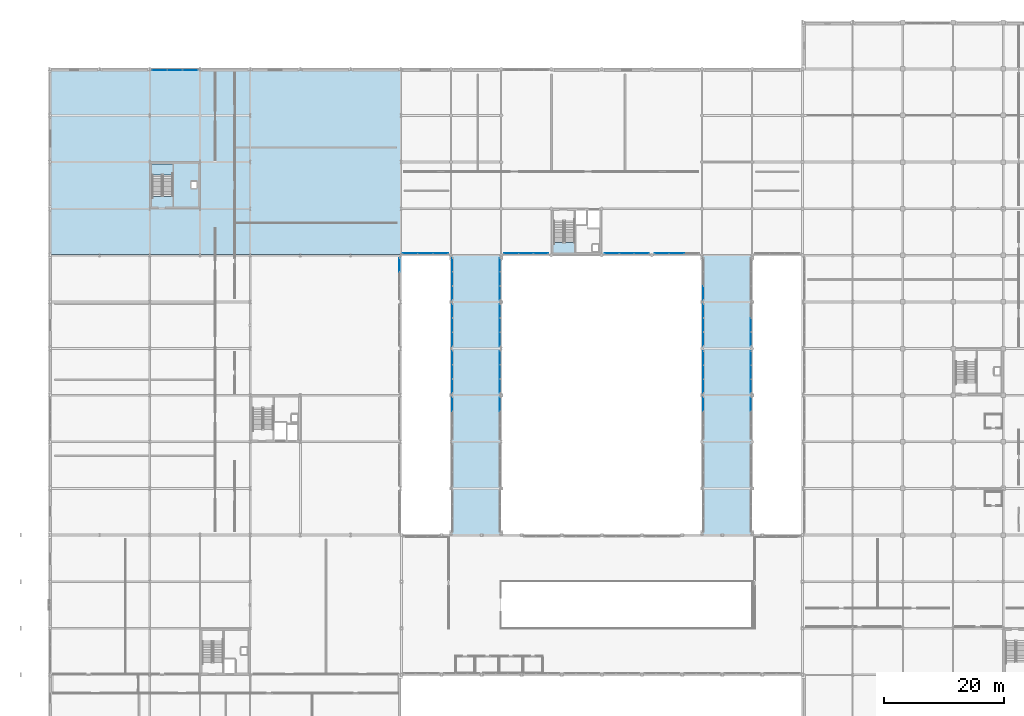
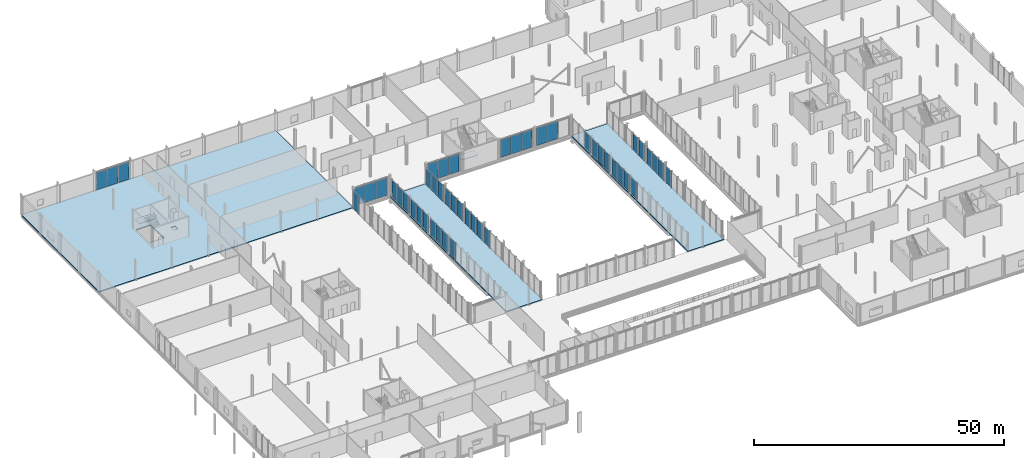
# One storey, part 70 of 105: 49 plates, 5 slabs, 23 elements without a shape of their own.
"""IFC4 building model written with IfcOpenShell, lengths in metres."""

from ifc_helpers import new_model, si_unit, direction, frame, origin, origin_2d, place, context, subcontext, project, spatial, polyline, rectangle, outline, extrude, material, layer, layer_set, type_object, element, aggregate, save


model = new_model("IFC4")

# Units and contexts
model_context = context("Model", 3, precision=1e-05, world=origin(), true_north=direction((0.0, 1.0)))
body_context = subcontext(model_context, "Body", "Model", "MODEL_VIEW")
ifc_project = project(units=[si_unit("LENGTHUNIT", "METRE"), si_unit("AREAUNIT", "SQUARE_METRE"), si_unit("VOLUMEUNIT", "CUBIC_METRE"), si_unit("PLANEANGLEUNIT", "RADIAN"), si_unit("MASSUNIT", "GRAM", prefix="KILO")], contexts=[model_context])

# Site, building, storey
site_placement = place(None, origin())
site = spatial("IfcSite", under=ifc_project, at=site_placement, CompositionType="ELEMENT")
building_placement = place(site_placement, origin())
building = spatial("IfcBuilding", under=site, at=building_placement, Name="Nabrawat Pavilion Hospital", CompositionType="ELEMENT")
storey_placement = place(building_placement, frame((0.0, 0.0, 5.10009765625)))
storey = spatial("IfcBuildingStorey", under=building, at=storey_placement, Name="L01", CompositionType="ELEMENT", Elevation=5.10009765625)

# Slabs
ifc_material_1 = material(Name="Concrete C35/45", Category="concrete")
ifc_layer_1 = layer(ifc_material_1, 0.2900390625, Name="Concrete C35/45")
ifc_layer_set_1 = layer_set([ifc_layer_1], Name="Concrete C35/45")
slab_type_1 = type_object("IfcSlabType", Name="Courtyard Link Bridge Deck Slab 290", PredefinedType="FLOOR", material=ifc_layer_set_1)
slab_1_placement = place(storey_placement, frame((0.0, 0.0, -0.2900390625)))
element("IfcSlab", 1, at=slab_1_placement, inside=storey, type_object=slab_type_1, Name="L01 Courtyard Link Bridge P_L01_BR_W", PredefinedType="FLOOR", context=body_context, shape_type="SweptSolid", body=[
    extrude(outline(polyline([(75.60009765625, 39.1201171875), (75.60009765625, 85.800048828125), (67.199951171875, 85.800048828125), (67.199951171875, 39.1201171875), (75.60009765625, 39.1201171875)])), origin(), (0.0, 0.0, 1.0), 0.2900390625),
])
slab_2_placement = place(storey_placement, frame((0.0, 0.0, -0.2900390625)))
element("IfcSlab", 2, at=slab_2_placement, inside=storey, type_object=slab_type_1, Name="L01 Courtyard Link Bridge P_L01_BR_E", PredefinedType="FLOOR", context=body_context, shape_type="SweptSolid", body=[
    extrude(outline(polyline([(117.60009765625, 39.1201171875), (117.60009765625, 85.800048828125), (109.199951171875, 85.800048828125), (109.199951171875, 39.1201171875), (117.60009765625, 39.1201171875)])), origin(), (0.0, 0.0, 1.0), 0.2900390625),
])

# Curtain wall, plate
ifc_material_2 = material(Name="Anodised Aluminium", Category="aluminium")
curtain_wall_type_1 = type_object("IfcCurtainWallType", Name="Courtyard Link Bridge Glazed Curtain Wall", PredefinedType="USERDEFINED", material=ifc_material_2)
curtain_wall_1_placement = place(storey_placement, origin())
curtain_wall_1 = element("IfcCurtainWall", 3, at=curtain_wall_1_placement, inside=storey, type_object=curtain_wall_type_1, Name="L01 Courtyard Link Bridge Glazed Curtain Wall 054", ObjectType="CURTAIN WALL", PredefinedType="USERDEFINED")
ifc_material_3 = material(Name="Double-Glazed Low-E Glass", Category="glass")
ifc_layer_2 = layer(ifc_material_3, 0.031982421875, Name="Double-Glazed Low-E Glass")
ifc_layer_set_2 = layer_set([ifc_layer_2], Name="Double-Glazed Low-E Glass")
plate_type_1 = type_object("IfcPlateType", Name="Courtyard Link Bridge Glazed Curtain Wall Low-E Solar Panel 32", PredefinedType="CURTAIN_PANEL", material=ifc_layer_set_2)
plate_1_placement = place(storey_placement, frame((67.419921875, 60.874267578125, 0.06982421875), z_axis=(0.0, 0.0, 1.0), x_axis=(0.0, 1.0, 0.0)))
plate_1 = element("IfcPlate", 4, at=plate_1_placement, type_object=plate_type_1, Name="CW-BRG-01 panel 3.1", PredefinedType="CURTAIN_PANEL", context=body_context, shape_type="SweptSolid", body=[
    extrude(rectangle(XDim=2.275634765625, YDim=0.031982421875, at=origin_2d()), origin(), (0.0, 0.0, 1.0), 4.0),
])
aggregate(curtain_wall_1, [plate_1])

# Curtain wall, plates
curtain_wall_2_placement = place(storey_placement, origin())
curtain_wall_2 = element("IfcCurtainWall", 5, at=curtain_wall_2_placement, inside=storey, type_object=curtain_wall_type_1, Name="L01 Courtyard Link Bridge Glazed Curtain Wall 055", ObjectType="CURTAIN WALL", PredefinedType="USERDEFINED")
plate_2_placement = place(storey_placement, frame((67.419921875, 63.92578125, 0.06982421875), z_axis=(0.0, 0.0, 1.0), x_axis=(0.0, 1.0, 0.0)))
plate_2 = element("IfcPlate", 6, at=plate_2_placement, type_object=plate_type_1, Name="CW-BRG-01 panel 1.1", PredefinedType="CURTAIN_PANEL", context=body_context, shape_type="SweptSolid", body=[
    extrude(rectangle(XDim=2.275634765625, YDim=0.031982421875, at=origin_2d()), origin(), (0.0, 0.0, 1.0), 4.0),
])
plate_3_placement = place(storey_placement, frame((67.419921875, 66.288818359375, 0.06982421875), z_axis=(0.0, 0.0, 1.0), x_axis=(0.0, 1.0, 0.0)))
plate_3 = element("IfcPlate", 7, at=plate_3_placement, type_object=plate_type_1, Name="CW-BRG-01 panel 2.1", PredefinedType="CURTAIN_PANEL", context=body_context, shape_type="SweptSolid", body=[
    extrude(rectangle(XDim=2.310791015625, YDim=0.031982421875, at=origin_2d()), origin(), (0.0, 0.0, 1.0), 4.0),
])
plate_4_placement = place(storey_placement, frame((67.419921875, 68.652099609375, 0.06982421875), z_axis=(0.0, 0.0, 1.0), x_axis=(0.0, 1.0, 0.0)))
plate_4 = element("IfcPlate", 8, at=plate_4_placement, type_object=plate_type_1, Name="CW-BRG-01 panel 3.1", PredefinedType="CURTAIN_PANEL", context=body_context, shape_type="SweptSolid", body=[
    extrude(rectangle(XDim=2.275634765625, YDim=0.031982421875, at=origin_2d()), origin(), (0.0, 0.0, 1.0), 4.0),
])
aggregate(curtain_wall_2, [plate_2, plate_3, plate_4])

curtain_wall_3_placement = place(storey_placement, origin())
curtain_wall_3 = element("IfcCurtainWall", 9, at=curtain_wall_3_placement, inside=storey, type_object=curtain_wall_type_1, Name="L01 Courtyard Link Bridge Glazed Curtain Wall 056", ObjectType="CURTAIN WALL", PredefinedType="USERDEFINED")
plate_5_placement = place(storey_placement, frame((67.419921875, 71.747802734375, 0.06982421875), z_axis=(0.0, 0.0, 1.0), x_axis=(0.0, 1.0, 0.0)))
plate_5 = element("IfcPlate", 10, at=plate_5_placement, type_object=plate_type_1, Name="CW-BRG-01 panel 1.1", PredefinedType="CURTAIN_PANEL", context=body_context, shape_type="SweptSolid", body=[
    extrude(rectangle(XDim=2.275634765625, YDim=0.031982421875, at=origin_2d()), origin(), (0.0, 0.0, 1.0), 4.0),
])
plate_6_placement = place(storey_placement, frame((67.419921875, 74.111083984375, 0.06982421875), z_axis=(0.0, 0.0, 1.0), x_axis=(0.0, 1.0, 0.0)))
plate_6 = element("IfcPlate", 11, at=plate_6_placement, type_object=plate_type_1, Name="CW-BRG-01 panel 2.1", PredefinedType="CURTAIN_PANEL", context=body_context, shape_type="SweptSolid", body=[
    extrude(rectangle(XDim=2.310791015625, YDim=0.031982421875, at=origin_2d()), origin(), (0.0, 0.0, 1.0), 4.0),
])
plate_7_placement = place(storey_placement, frame((67.419921875, 76.474365234375, 0.06982421875), z_axis=(0.0, 0.0, 1.0), x_axis=(0.0, 1.0, 0.0)))
plate_7 = element("IfcPlate", 12, at=plate_7_placement, type_object=plate_type_1, Name="CW-BRG-01 panel 3.1", PredefinedType="CURTAIN_PANEL", context=body_context, shape_type="SweptSolid", body=[
    extrude(rectangle(XDim=2.275634765625, YDim=0.031982421875, at=origin_2d()), origin(), (0.0, 0.0, 1.0), 4.0),
])
aggregate(curtain_wall_3, [plate_5, plate_6, plate_7])

curtain_wall_4_placement = place(storey_placement, origin())
curtain_wall_4 = element("IfcCurtainWall", 13, at=curtain_wall_4_placement, inside=storey, type_object=curtain_wall_type_1, Name="L01 Courtyard Link Bridge Glazed Curtain Wall 057", ObjectType="CURTAIN WALL", PredefinedType="USERDEFINED")
plate_8_placement = place(storey_placement, frame((67.419921875, 79.51318359375, 0.06982421875), z_axis=(0.0, 0.0, 1.0), x_axis=(0.0, 1.0, 0.0)))
plate_8 = element("IfcPlate", 14, at=plate_8_placement, type_object=plate_type_1, Name="CW-BRG-01 panel 1.1", PredefinedType="CURTAIN_PANEL", context=body_context, shape_type="SweptSolid", body=[
    extrude(rectangle(XDim=2.250732421875, YDim=0.031982421875, at=origin_2d()), origin(), (0.0, 0.0, 1.0), 4.0),
])
plate_9_placement = place(storey_placement, frame((67.419921875, 81.851318359375, 0.06982421875), z_axis=(0.0, 0.0, 1.0), x_axis=(0.0, 1.0, 0.0)))
plate_9 = element("IfcPlate", 15, at=plate_9_placement, type_object=plate_type_1, Name="CW-BRG-01 panel 2.1", PredefinedType="CURTAIN_PANEL", context=body_context, shape_type="SweptSolid", body=[
    extrude(rectangle(XDim=2.28564453125, YDim=0.031982421875, at=origin_2d()), origin(), (0.0, 0.0, 1.0), 4.0),
])
plate_10_placement = place(storey_placement, frame((67.419921875, 84.189697265625, 0.06982421875), z_axis=(0.0, 0.0, 1.0), x_axis=(0.0, 1.0, 0.0)))
plate_10 = element("IfcPlate", 16, at=plate_10_placement, type_object=plate_type_1, Name="CW-BRG-01 panel 3.1", PredefinedType="CURTAIN_PANEL", context=body_context, shape_type="SweptSolid", body=[
    extrude(rectangle(XDim=2.250732421875, YDim=0.031982421875, at=origin_2d()), origin(), (0.0, 0.0, 1.0), 4.0),
])
aggregate(curtain_wall_4, [plate_8, plate_9, plate_10])

# Curtain wall, plate
curtain_wall_5_placement = place(storey_placement, origin())
curtain_wall_5 = element("IfcCurtainWall", 17, at=curtain_wall_5_placement, inside=storey, type_object=curtain_wall_type_1, Name="L01 Courtyard Link Bridge Glazed Curtain Wall 060", ObjectType="CURTAIN WALL", PredefinedType="USERDEFINED")
plate_11_placement = place(storey_placement, frame((75.3798828125, 60.874267578125, 0.06982421875), z_axis=(0.0, 0.0, 1.0), x_axis=(0.0, 1.0, 0.0)))
plate_11 = element("IfcPlate", 18, at=plate_11_placement, type_object=plate_type_1, Name="CW-BRG-01 panel 3.1", PredefinedType="CURTAIN_PANEL", context=body_context, shape_type="SweptSolid", body=[
    extrude(rectangle(XDim=2.275634765625, YDim=0.031982421875, at=origin_2d()), origin(), (0.0, 0.0, 1.0), 4.0),
])
aggregate(curtain_wall_5, [plate_11])

# Curtain wall, plates
curtain_wall_6_placement = place(storey_placement, origin())
curtain_wall_6 = element("IfcCurtainWall", 19, at=curtain_wall_6_placement, inside=storey, type_object=curtain_wall_type_1, Name="L01 Courtyard Link Bridge Glazed Curtain Wall 061", ObjectType="CURTAIN WALL", PredefinedType="USERDEFINED")
plate_12_placement = place(storey_placement, frame((75.3798828125, 63.92578125, 0.06982421875), z_axis=(0.0, 0.0, 1.0), x_axis=(0.0, 1.0, 0.0)))
plate_12 = element("IfcPlate", 20, at=plate_12_placement, type_object=plate_type_1, Name="CW-BRG-01 panel 1.1", PredefinedType="CURTAIN_PANEL", context=body_context, shape_type="SweptSolid", body=[
    extrude(rectangle(XDim=2.275634765625, YDim=0.031982421875, at=origin_2d()), origin(), (0.0, 0.0, 1.0), 4.0),
])
plate_13_placement = place(storey_placement, frame((75.3798828125, 66.288818359375, 0.06982421875), z_axis=(0.0, 0.0, 1.0), x_axis=(0.0, 1.0, 0.0)))
plate_13 = element("IfcPlate", 21, at=plate_13_placement, type_object=plate_type_1, Name="CW-BRG-01 panel 2.1", PredefinedType="CURTAIN_PANEL", context=body_context, shape_type="SweptSolid", body=[
    extrude(rectangle(XDim=2.310791015625, YDim=0.031982421875, at=origin_2d()), origin(), (0.0, 0.0, 1.0), 4.0),
])
plate_14_placement = place(storey_placement, frame((75.3798828125, 68.652099609375, 0.06982421875), z_axis=(0.0, 0.0, 1.0), x_axis=(0.0, 1.0, 0.0)))
plate_14 = element("IfcPlate", 22, at=plate_14_placement, type_object=plate_type_1, Name="CW-BRG-01 panel 3.1", PredefinedType="CURTAIN_PANEL", context=body_context, shape_type="SweptSolid", body=[
    extrude(rectangle(XDim=2.275634765625, YDim=0.031982421875, at=origin_2d()), origin(), (0.0, 0.0, 1.0), 4.0),
])
aggregate(curtain_wall_6, [plate_12, plate_13, plate_14])

curtain_wall_7_placement = place(storey_placement, origin())
curtain_wall_7 = element("IfcCurtainWall", 23, at=curtain_wall_7_placement, inside=storey, type_object=curtain_wall_type_1, Name="L01 Courtyard Link Bridge Glazed Curtain Wall 062", ObjectType="CURTAIN WALL", PredefinedType="USERDEFINED")
plate_15_placement = place(storey_placement, frame((75.3798828125, 71.747802734375, 0.06982421875), z_axis=(0.0, 0.0, 1.0), x_axis=(0.0, 1.0, 0.0)))
plate_15 = element("IfcPlate", 24, at=plate_15_placement, type_object=plate_type_1, Name="CW-BRG-01 panel 1.1", PredefinedType="CURTAIN_PANEL", context=body_context, shape_type="SweptSolid", body=[
    extrude(rectangle(XDim=2.275634765625, YDim=0.031982421875, at=origin_2d()), origin(), (0.0, 0.0, 1.0), 4.0),
])
plate_16_placement = place(storey_placement, frame((75.3798828125, 74.111083984375, 0.06982421875), z_axis=(0.0, 0.0, 1.0), x_axis=(0.0, 1.0, 0.0)))
plate_16 = element("IfcPlate", 25, at=plate_16_placement, type_object=plate_type_1, Name="CW-BRG-01 panel 2.1", PredefinedType="CURTAIN_PANEL", context=body_context, shape_type="SweptSolid", body=[
    extrude(rectangle(XDim=2.310791015625, YDim=0.031982421875, at=origin_2d()), origin(), (0.0, 0.0, 1.0), 4.0),
])
plate_17_placement = place(storey_placement, frame((75.3798828125, 76.474365234375, 0.06982421875), z_axis=(0.0, 0.0, 1.0), x_axis=(0.0, 1.0, 0.0)))
plate_17 = element("IfcPlate", 26, at=plate_17_placement, type_object=plate_type_1, Name="CW-BRG-01 panel 3.1", PredefinedType="CURTAIN_PANEL", context=body_context, shape_type="SweptSolid", body=[
    extrude(rectangle(XDim=2.275634765625, YDim=0.031982421875, at=origin_2d()), origin(), (0.0, 0.0, 1.0), 4.0),
])
aggregate(curtain_wall_7, [plate_15, plate_16, plate_17])

curtain_wall_8_placement = place(storey_placement, origin())
curtain_wall_8 = element("IfcCurtainWall", 27, at=curtain_wall_8_placement, inside=storey, type_object=curtain_wall_type_1, Name="L01 Courtyard Link Bridge Glazed Curtain Wall 063", ObjectType="CURTAIN WALL", PredefinedType="USERDEFINED")
plate_18_placement = place(storey_placement, frame((75.3798828125, 79.51318359375, 0.06982421875), z_axis=(0.0, 0.0, 1.0), x_axis=(0.0, 1.0, 0.0)))
plate_18 = element("IfcPlate", 28, at=plate_18_placement, type_object=plate_type_1, Name="CW-BRG-01 panel 1.1", PredefinedType="CURTAIN_PANEL", context=body_context, shape_type="SweptSolid", body=[
    extrude(rectangle(XDim=2.250732421875, YDim=0.031982421875, at=origin_2d()), origin(), (0.0, 0.0, 1.0), 4.0),
])
plate_19_placement = place(storey_placement, frame((75.3798828125, 81.851318359375, 0.06982421875), z_axis=(0.0, 0.0, 1.0), x_axis=(0.0, 1.0, 0.0)))
plate_19 = element("IfcPlate", 29, at=plate_19_placement, type_object=plate_type_1, Name="CW-BRG-01 panel 2.1", PredefinedType="CURTAIN_PANEL", context=body_context, shape_type="SweptSolid", body=[
    extrude(rectangle(XDim=2.28564453125, YDim=0.031982421875, at=origin_2d()), origin(), (0.0, 0.0, 1.0), 4.0),
])
plate_20_placement = place(storey_placement, frame((75.3798828125, 84.189697265625, 0.06982421875), z_axis=(0.0, 0.0, 1.0), x_axis=(0.0, 1.0, 0.0)))
plate_20 = element("IfcPlate", 30, at=plate_20_placement, type_object=plate_type_1, Name="CW-BRG-01 panel 3.1", PredefinedType="CURTAIN_PANEL", context=body_context, shape_type="SweptSolid", body=[
    extrude(rectangle(XDim=2.250732421875, YDim=0.031982421875, at=origin_2d()), origin(), (0.0, 0.0, 1.0), 4.0),
])
aggregate(curtain_wall_8, [plate_18, plate_19, plate_20])

# Curtain wall, plate
curtain_wall_9_placement = place(storey_placement, origin())
curtain_wall_9 = element("IfcCurtainWall", 31, at=curtain_wall_9_placement, inside=storey, type_object=curtain_wall_type_1, Name="L01 Courtyard Link Bridge Glazed Curtain Wall 073", ObjectType="CURTAIN WALL", PredefinedType="USERDEFINED")
plate_21_placement = place(storey_placement, frame((109.419921875, 60.88671875, 0.06982421875), z_axis=(0.0, 0.0, 1.0), x_axis=(0.0, 1.0, 0.0)))
plate_21 = element("IfcPlate", 32, at=plate_21_placement, type_object=plate_type_1, Name="CW-BRG-01 panel 3.1", PredefinedType="CURTAIN_PANEL", context=body_context, shape_type="SweptSolid", body=[
    extrude(rectangle(XDim=2.250732421875, YDim=0.031982421875, at=origin_2d()), origin(), (0.0, 0.0, 1.0), 4.0),
])
aggregate(curtain_wall_9, [plate_21])

# Curtain wall, plates
curtain_wall_10_placement = place(storey_placement, origin())
curtain_wall_10 = element("IfcCurtainWall", 33, at=curtain_wall_10_placement, inside=storey, type_object=curtain_wall_type_1, Name="L01 Courtyard Link Bridge Glazed Curtain Wall 074", ObjectType="CURTAIN WALL", PredefinedType="USERDEFINED")
plate_22_placement = place(storey_placement, frame((109.419921875, 63.9130859375, 0.06982421875), z_axis=(0.0, 0.0, 1.0), x_axis=(0.0, 1.0, 0.0)))
plate_22 = element("IfcPlate", 34, at=plate_22_placement, type_object=plate_type_1, Name="CW-BRG-01 panel 1.1", PredefinedType="CURTAIN_PANEL", context=body_context, shape_type="SweptSolid", body=[
    extrude(rectangle(XDim=2.250732421875, YDim=0.031982421875, at=origin_2d()), origin(), (0.0, 0.0, 1.0), 4.0),
])
plate_23_placement = place(storey_placement, frame((109.419921875, 66.25146484375, 0.06982421875), z_axis=(0.0, 0.0, 1.0), x_axis=(0.0, 1.0, 0.0)))
plate_23 = element("IfcPlate", 35, at=plate_23_placement, type_object=plate_type_1, Name="CW-BRG-01 panel 2.1", PredefinedType="CURTAIN_PANEL", context=body_context, shape_type="SweptSolid", body=[
    extrude(rectangle(XDim=2.28564453125, YDim=0.031982421875, at=origin_2d()), origin(), (0.0, 0.0, 1.0), 4.0),
])
plate_24_placement = place(storey_placement, frame((109.419921875, 68.589599609375, 0.06982421875), z_axis=(0.0, 0.0, 1.0), x_axis=(0.0, 1.0, 0.0)))
plate_24 = element("IfcPlate", 36, at=plate_24_placement, type_object=plate_type_1, Name="CW-BRG-01 panel 3.1", PredefinedType="CURTAIN_PANEL", context=body_context, shape_type="SweptSolid", body=[
    extrude(rectangle(XDim=2.250732421875, YDim=0.031982421875, at=origin_2d()), origin(), (0.0, 0.0, 1.0), 4.0),
])
aggregate(curtain_wall_10, [plate_22, plate_23, plate_24])

curtain_wall_11_placement = place(storey_placement, origin())
curtain_wall_11 = element("IfcCurtainWall", 37, at=curtain_wall_11_placement, inside=storey, type_object=curtain_wall_type_1, Name="L01 Courtyard Link Bridge Glazed Curtain Wall 075", ObjectType="CURTAIN WALL", PredefinedType="USERDEFINED")
plate_25_placement = place(storey_placement, frame((109.419921875, 71.810302734375, 0.06982421875), z_axis=(0.0, 0.0, 1.0), x_axis=(0.0, 1.0, 0.0)))
plate_25 = element("IfcPlate", 38, at=plate_25_placement, type_object=plate_type_1, Name="CW-BRG-01 panel 1.1", PredefinedType="CURTAIN_PANEL", context=body_context, shape_type="SweptSolid", body=[
    extrude(rectangle(XDim=2.250732421875, YDim=0.031982421875, at=origin_2d()), origin(), (0.0, 0.0, 1.0), 4.0),
])
plate_26_placement = place(storey_placement, frame((109.419921875, 74.148681640625, 0.06982421875), z_axis=(0.0, 0.0, 1.0), x_axis=(0.0, 1.0, 0.0)))
plate_26 = element("IfcPlate", 39, at=plate_26_placement, type_object=plate_type_1, Name="CW-BRG-01 panel 2.1", PredefinedType="CURTAIN_PANEL", context=body_context, shape_type="SweptSolid", body=[
    extrude(rectangle(XDim=2.28564453125, YDim=0.031982421875, at=origin_2d()), origin(), (0.0, 0.0, 1.0), 4.0),
])
plate_27_placement = place(storey_placement, frame((109.419921875, 76.48681640625, 0.06982421875), z_axis=(0.0, 0.0, 1.0), x_axis=(0.0, 1.0, 0.0)))
plate_27 = element("IfcPlate", 40, at=plate_27_placement, type_object=plate_type_1, Name="CW-BRG-01 panel 3.1", PredefinedType="CURTAIN_PANEL", context=body_context, shape_type="SweptSolid", body=[
    extrude(rectangle(XDim=2.250732421875, YDim=0.031982421875, at=origin_2d()), origin(), (0.0, 0.0, 1.0), 4.0),
])
aggregate(curtain_wall_11, [plate_25, plate_26, plate_27])

# Curtain wall, plate
curtain_wall_12_placement = place(storey_placement, origin())
curtain_wall_12 = element("IfcCurtainWall", 41, at=curtain_wall_12_placement, inside=storey, type_object=curtain_wall_type_1, Name="L01 Courtyard Link Bridge Glazed Curtain Wall 076", ObjectType="CURTAIN WALL", PredefinedType="USERDEFINED")
plate_28_placement = place(storey_placement, frame((109.419921875, 79.51318359375, 0.06982421875), z_axis=(0.0, 0.0, 1.0), x_axis=(0.0, 1.0, 0.0)))
plate_28 = element("IfcPlate", 42, at=plate_28_placement, type_object=plate_type_1, Name="CW-BRG-01 panel 1.1", PredefinedType="CURTAIN_PANEL", context=body_context, shape_type="SweptSolid", body=[
    extrude(rectangle(XDim=2.250732421875, YDim=0.031982421875, at=origin_2d()), origin(), (0.0, 0.0, 1.0), 4.0),
])
aggregate(curtain_wall_12, [plate_28])

curtain_wall_13_placement = place(storey_placement, origin())
curtain_wall_13 = element("IfcCurtainWall", 43, at=curtain_wall_13_placement, inside=storey, type_object=curtain_wall_type_1, Name="L01 Courtyard Link Bridge Glazed Curtain Wall 079", ObjectType="CURTAIN WALL", PredefinedType="USERDEFINED")
plate_29_placement = place(storey_placement, frame((117.3798828125, 60.88671875, 0.06982421875), z_axis=(0.0, 0.0, 1.0), x_axis=(0.0, 1.0, 0.0)))
plate_29 = element("IfcPlate", 44, at=plate_29_placement, type_object=plate_type_1, Name="CW-BRG-01 panel 3.1", PredefinedType="CURTAIN_PANEL", context=body_context, shape_type="SweptSolid", body=[
    extrude(rectangle(XDim=2.250732421875, YDim=0.031982421875, at=origin_2d()), origin(), (0.0, 0.0, 1.0), 4.0),
])
aggregate(curtain_wall_13, [plate_29])

# Curtain wall, plates
curtain_wall_14_placement = place(storey_placement, origin())
curtain_wall_14 = element("IfcCurtainWall", 45, at=curtain_wall_14_placement, inside=storey, type_object=curtain_wall_type_1, Name="L01 Courtyard Link Bridge Glazed Curtain Wall 080", ObjectType="CURTAIN WALL", PredefinedType="USERDEFINED")
plate_30_placement = place(storey_placement, frame((117.3798828125, 63.9130859375, 0.06982421875), z_axis=(0.0, 0.0, 1.0), x_axis=(0.0, 1.0, 0.0)))
plate_30 = element("IfcPlate", 46, at=plate_30_placement, type_object=plate_type_1, Name="CW-BRG-01 panel 1.1", PredefinedType="CURTAIN_PANEL", context=body_context, shape_type="SweptSolid", body=[
    extrude(rectangle(XDim=2.250732421875, YDim=0.031982421875, at=origin_2d()), origin(), (0.0, 0.0, 1.0), 4.0),
])
plate_31_placement = place(storey_placement, frame((117.3798828125, 66.25146484375, 0.06982421875), z_axis=(0.0, 0.0, 1.0), x_axis=(0.0, 1.0, 0.0)))
plate_31 = element("IfcPlate", 47, at=plate_31_placement, type_object=plate_type_1, Name="CW-BRG-01 panel 2.1", PredefinedType="CURTAIN_PANEL", context=body_context, shape_type="SweptSolid", body=[
    extrude(rectangle(XDim=2.28564453125, YDim=0.031982421875, at=origin_2d()), origin(), (0.0, 0.0, 1.0), 4.0),
])
plate_32_placement = place(storey_placement, frame((117.3798828125, 68.589599609375, 0.06982421875), z_axis=(0.0, 0.0, 1.0), x_axis=(0.0, 1.0, 0.0)))
plate_32 = element("IfcPlate", 48, at=plate_32_placement, type_object=plate_type_1, Name="CW-BRG-01 panel 3.1", PredefinedType="CURTAIN_PANEL", context=body_context, shape_type="SweptSolid", body=[
    extrude(rectangle(XDim=2.250732421875, YDim=0.031982421875, at=origin_2d()), origin(), (0.0, 0.0, 1.0), 4.0),
])
aggregate(curtain_wall_14, [plate_30, plate_31, plate_32])

curtain_wall_15_placement = place(storey_placement, origin())
curtain_wall_15 = element("IfcCurtainWall", 49, at=curtain_wall_15_placement, inside=storey, type_object=curtain_wall_type_1, Name="L01 Courtyard Link Bridge Glazed Curtain Wall 081", ObjectType="CURTAIN WALL", PredefinedType="USERDEFINED")
plate_33_placement = place(storey_placement, frame((117.3798828125, 71.810302734375, 0.06982421875), z_axis=(0.0, 0.0, 1.0), x_axis=(0.0, 1.0, 0.0)))
plate_33 = element("IfcPlate", 50, at=plate_33_placement, type_object=plate_type_1, Name="CW-BRG-01 panel 1.1", PredefinedType="CURTAIN_PANEL", context=body_context, shape_type="SweptSolid", body=[
    extrude(rectangle(XDim=2.250732421875, YDim=0.031982421875, at=origin_2d()), origin(), (0.0, 0.0, 1.0), 4.0),
])
plate_34_placement = place(storey_placement, frame((117.3798828125, 74.148681640625, 0.06982421875), z_axis=(0.0, 0.0, 1.0), x_axis=(0.0, 1.0, 0.0)))
plate_34 = element("IfcPlate", 51, at=plate_34_placement, type_object=plate_type_1, Name="CW-BRG-01 panel 2.1", PredefinedType="CURTAIN_PANEL", context=body_context, shape_type="SweptSolid", body=[
    extrude(rectangle(XDim=2.28564453125, YDim=0.031982421875, at=origin_2d()), origin(), (0.0, 0.0, 1.0), 4.0),
])
aggregate(curtain_wall_15, [plate_33, plate_34])

curtain_wall_type_2 = type_object("IfcCurtainWallType", Name="Emergency Concourse Glazed Screen", PredefinedType="USERDEFINED", material=ifc_material_2)
curtain_wall_16_placement = place(storey_placement, origin())
curtain_wall_16 = element("IfcCurtainWall", 52, at=curtain_wall_16_placement, inside=storey, type_object=curtain_wall_type_2, Name="L01 Emergency Concourse Glazed Screen 032", ObjectType="CURTAIN WALL", PredefinedType="USERDEFINED")
ifc_layer_3 = layer(ifc_material_3, 0.030029296875, Name="Double-Glazed Low-E Glass")
ifc_layer_set_3 = layer_set([ifc_layer_3], Name="Double-Glazed Low-E Glass")
plate_type_2 = type_object("IfcPlateType", Name="Emergency Concourse Glazed Screen Low-E Solar Panel 30", PredefinedType="CURTAIN_PANEL", material=ifc_layer_set_3)
plate_35_placement = place(storey_placement, frame((18.430908203125, 116.780029296875, 0.06982421875), z_axis=(0.0, 0.0, 1.0), x_axis=(1.0, 0.0, 0.0)))
plate_35 = element("IfcPlate", 53, at=plate_35_placement, type_object=plate_type_2, Name="CW-ED-01 panel 1.1", PredefinedType="CURTAIN_PANEL", context=body_context, shape_type="SweptSolid", body=[
    extrude(rectangle(XDim=2.481689453125, YDim=0.030029296875, at=origin_2d()), origin(), (0.0, 0.0, 1.0), 4.280029296875),
])
plate_36_placement = place(storey_placement, frame((21.0, 116.780029296875, 0.06982421875), z_axis=(0.0, 0.0, 1.0), x_axis=(1.0, 0.0, 0.0)))
plate_36 = element("IfcPlate", 54, at=plate_36_placement, type_object=plate_type_2, Name="CW-ED-01 panel 2.1", PredefinedType="CURTAIN_PANEL", context=body_context, shape_type="SweptSolid", body=[
    extrude(rectangle(XDim=2.5166015625, YDim=0.030029296875, at=origin_2d()), origin(), (0.0, 0.0, 1.0), 4.280029296875),
])
plate_37_placement = place(storey_placement, frame((23.569091796875, 116.780029296875, 0.06982421875), z_axis=(0.0, 0.0, 1.0), x_axis=(1.0, 0.0, 0.0)))
plate_37 = element("IfcPlate", 55, at=plate_37_placement, type_object=plate_type_2, Name="CW-ED-01 panel 3.1", PredefinedType="CURTAIN_PANEL", context=body_context, shape_type="SweptSolid", body=[
    extrude(rectangle(XDim=2.481689453125, YDim=0.030029296875, at=origin_2d()), origin(), (0.0, 0.0, 1.0), 4.280029296875),
])
aggregate(curtain_wall_16, [plate_35, plate_36, plate_37])

# Curtain wall, plate
curtain_wall_type_3 = type_object("IfcCurtainWallType", Name="Healing Garden Cloister Curtain Wall", PredefinedType="USERDEFINED", material=ifc_material_2)
curtain_wall_17_placement = place(storey_placement, origin())
curtain_wall_17 = element("IfcCurtainWall", 56, at=curtain_wall_17_placement, inside=storey, type_object=curtain_wall_type_3, Name="L01 Healing Garden Cloister Curtain Wall 048", ObjectType="CURTAIN WALL", PredefinedType="USERDEFINED")
ifc_layer_4 = layer(ifc_material_3, 0.028076171875, Name="Double-Glazed Low-E Glass")
ifc_layer_set_4 = layer_set([ifc_layer_4], Name="Double-Glazed Low-E Glass")
plate_type_3 = type_object("IfcPlateType", Name="Healing Garden Cloister Curtain Wall Low-E Solar Panel 28", PredefinedType="CURTAIN_PANEL", material=ifc_layer_set_4)
plate_38_placement = place(storey_placement, frame((58.580078125, 84.20703125, 0.06494140625), z_axis=(0.0, 0.0, 1.0), x_axis=(0.0, 1.0, 0.0)))
plate_38 = element("IfcPlate", 57, at=plate_38_placement, type_object=plate_type_3, Name="CW-CLN-01 panel 3.1", PredefinedType="CURTAIN_PANEL", context=body_context, shape_type="SweptSolid", body=[
    extrude(rectangle(XDim=2.225830078125, YDim=0.028076171875, at=origin_2d()), origin(), (0.0, 0.0, 1.0), 4.2900390625),
])
aggregate(curtain_wall_17, [plate_38])

# Curtain wall, plates
curtain_wall_18_placement = place(storey_placement, origin())
curtain_wall_18 = element("IfcCurtainWall", 58, at=curtain_wall_18_placement, inside=storey, type_object=curtain_wall_type_3, Name="L01 Healing Garden Cloister Curtain Wall 050", ObjectType="CURTAIN WALL", PredefinedType="USERDEFINED")
plate_39_placement = place(storey_placement, frame((60.388671875, 86.139892578125, 0.06494140625), z_axis=(0.0, 0.0, 1.0), x_axis=(1.0, 0.0, 0.0)))
plate_39 = element("IfcPlate", 59, at=plate_39_placement, type_object=plate_type_3, Name="CW-CLN-01 panel 1.1", PredefinedType="CURTAIN_PANEL", context=body_context, shape_type="SweptSolid", body=[
    extrude(rectangle(XDim=2.467529296875, YDim=0.028076171875, at=origin_2d()), origin(), (0.0, 0.0, 1.0), 4.2900390625),
])
plate_40_placement = place(storey_placement, frame((62.9375, 86.139892578125, 0.06494140625), z_axis=(0.0, 0.0, 1.0), x_axis=(1.0, 0.0, 0.0)))
plate_40 = element("IfcPlate", 60, at=plate_40_placement, type_object=plate_type_3, Name="CW-CLN-01 panel 2.1", PredefinedType="CURTAIN_PANEL", context=body_context, shape_type="SweptSolid", body=[
    extrude(rectangle(XDim=2.5, YDim=0.028076171875, at=origin_2d()), origin(), (0.0, 0.0, 1.0), 4.2900390625),
])
plate_41_placement = place(storey_placement, frame((65.486328125, 86.139892578125, 0.06494140625), z_axis=(0.0, 0.0, 1.0), x_axis=(1.0, 0.0, 0.0)))
plate_41 = element("IfcPlate", 61, at=plate_41_placement, type_object=plate_type_3, Name="CW-CLN-01 panel 3.1", PredefinedType="CURTAIN_PANEL", context=body_context, shape_type="SweptSolid", body=[
    extrude(rectangle(XDim=2.467529296875, YDim=0.028076171875, at=origin_2d()), origin(), (0.0, 0.0, 1.0), 4.2900390625),
])
aggregate(curtain_wall_18, [plate_39, plate_40, plate_41])

curtain_wall_19_placement = place(storey_placement, origin())
curtain_wall_19 = element("IfcCurtainWall", 62, at=curtain_wall_19_placement, inside=storey, type_object=curtain_wall_type_3, Name="L01 Healing Garden Cloister Curtain Wall 068", ObjectType="CURTAIN WALL", PredefinedType="USERDEFINED")
plate_42_placement = place(storey_placement, frame((77.27880859375, 86.139892578125, 0.06494140625), z_axis=(0.0, 0.0, 1.0), x_axis=(1.0, 0.0, 0.0)))
plate_42 = element("IfcPlate", 63, at=plate_42_placement, type_object=plate_type_3, Name="CW-CLN-01 panel 1.1", PredefinedType="CURTAIN_PANEL", context=body_context, shape_type="SweptSolid", body=[
    extrude(rectangle(XDim=2.3974609375, YDim=0.028076171875, at=origin_2d()), origin(), (0.0, 0.0, 1.0), 4.31005859375),
])
plate_43_placement = place(storey_placement, frame((79.757568359375, 86.139892578125, 0.06494140625), z_axis=(0.0, 0.0, 1.0), x_axis=(1.0, 0.0, 0.0)))
plate_43 = element("IfcPlate", 64, at=plate_43_placement, type_object=plate_type_3, Name="CW-CLN-01 panel 2.1", PredefinedType="CURTAIN_PANEL", context=body_context, shape_type="SweptSolid", body=[
    extrude(rectangle(XDim=2.429931640625, YDim=0.028076171875, at=origin_2d()), origin(), (0.0, 0.0, 1.0), 4.31005859375),
])
plate_44_placement = place(storey_placement, frame((82.236328125, 86.139892578125, 0.06494140625), z_axis=(0.0, 0.0, 1.0), x_axis=(1.0, 0.0, 0.0)))
plate_44 = element("IfcPlate", 65, at=plate_44_placement, type_object=plate_type_3, Name="CW-CLN-01 panel 3.1", PredefinedType="CURTAIN_PANEL", context=body_context, shape_type="SweptSolid", body=[
    extrude(rectangle(XDim=2.3974609375, YDim=0.028076171875, at=origin_2d()), origin(), (0.0, 0.0, 1.0), 4.31005859375),
])
aggregate(curtain_wall_19, [plate_42, plate_43, plate_44])

curtain_wall_20_placement = place(storey_placement, origin())
curtain_wall_20 = element("IfcCurtainWall", 66, at=curtain_wall_20_placement, inside=storey, type_object=curtain_wall_type_3, Name="L01 Healing Garden Cloister Curtain Wall 069", ObjectType="CURTAIN WALL", PredefinedType="USERDEFINED")
plate_45_placement = place(storey_placement, frame((94.163818359375, 86.139892578125, 0.06494140625), z_axis=(0.0, 0.0, 1.0), x_axis=(1.0, 0.0, 0.0)))
plate_45 = element("IfcPlate", 67, at=plate_45_placement, type_object=plate_type_3, Name="CW-CLN-01 panel 1.1", PredefinedType="CURTAIN_PANEL", context=body_context, shape_type="SweptSolid", body=[
    extrude(rectangle(XDim=2.3974609375, YDim=0.028076171875, at=origin_2d()), origin(), (0.0, 0.0, 1.0), 4.31005859375),
])
plate_46_placement = place(storey_placement, frame((96.642578125, 86.139892578125, 0.06494140625), z_axis=(0.0, 0.0, 1.0), x_axis=(1.0, 0.0, 0.0)))
plate_46 = element("IfcPlate", 68, at=plate_46_placement, type_object=plate_type_3, Name="CW-CLN-01 panel 2.1", PredefinedType="CURTAIN_PANEL", context=body_context, shape_type="SweptSolid", body=[
    extrude(rectangle(XDim=2.429931640625, YDim=0.028076171875, at=origin_2d()), origin(), (0.0, 0.0, 1.0), 4.31005859375),
])
plate_47_placement = place(storey_placement, frame((99.121337890625, 86.139892578125, 0.06494140625), z_axis=(0.0, 0.0, 1.0), x_axis=(1.0, 0.0, 0.0)))
plate_47 = element("IfcPlate", 69, at=plate_47_placement, type_object=plate_type_3, Name="CW-CLN-01 panel 3.1", PredefinedType="CURTAIN_PANEL", context=body_context, shape_type="SweptSolid", body=[
    extrude(rectangle(XDim=2.3974609375, YDim=0.028076171875, at=origin_2d()), origin(), (0.0, 0.0, 1.0), 4.31005859375),
])
aggregate(curtain_wall_20, [plate_45, plate_46, plate_47])

curtain_wall_21_placement = place(storey_placement, origin())
curtain_wall_21 = element("IfcCurtainWall", 70, at=curtain_wall_21_placement, inside=storey, type_object=curtain_wall_type_3, Name="L01 Healing Garden Cloister Curtain Wall 070", ObjectType="CURTAIN WALL", PredefinedType="USERDEFINED")
plate_48_placement = place(storey_placement, frame((102.492919921875, 86.139892578125, 0.06494140625), z_axis=(0.0, 0.0, 1.0), x_axis=(1.0, 0.0, 0.0)))
plate_48 = element("IfcPlate", 71, at=plate_48_placement, type_object=plate_type_3, Name="CW-CLN-01 panel 1.1", PredefinedType="CURTAIN_PANEL", context=body_context, shape_type="SweptSolid", body=[
    extrude(rectangle(XDim=2.42578125, YDim=0.028076171875, at=origin_2d()), origin(), (0.0, 0.0, 1.0), 4.31005859375),
])
plate_49_placement = place(storey_placement, frame((105.0, 86.139892578125, 0.06494140625), z_axis=(0.0, 0.0, 1.0), x_axis=(1.0, 0.0, 0.0)))
plate_49 = element("IfcPlate", 72, at=plate_49_placement, type_object=plate_type_3, Name="CW-CLN-01 panel 2.1", PredefinedType="CURTAIN_PANEL", context=body_context, shape_type="SweptSolid", body=[
    extrude(rectangle(XDim=2.458251953125, YDim=0.028076171875, at=origin_2d()), origin(), (0.0, 0.0, 1.0), 4.31005859375),
])
aggregate(curtain_wall_21, [plate_48, plate_49])

# Stair, slab
stair_type = type_object("IfcStairType", Name="Core Dogleg Escape Stair Assembly", PredefinedType="HALF_TURN_STAIR", material=ifc_material_1)
stair_1_placement = place(storey_placement, origin())
stair_1 = element("IfcStair", 73, at=stair_1_placement, inside=storey, type_object=stair_type, Name="L01 Diagnostic and Main Hall Core 3", PredefinedType="HALF_TURN_STAIR")
ifc_layer_5 = layer(ifc_material_1, 0.199951171875, Name="Concrete C35/45")
ifc_layer_set_5 = layer_set([ifc_layer_5], Name="Concrete C35/45")
slab_type_2 = type_object("IfcSlabType", Name="Reinforced Concrete Stair Half-Landing 200", PredefinedType="LANDING", material=ifc_layer_set_5)
slab_3_placement = place(storey_placement, frame((0.0, 0.0, 2.349853515625)))
slab_3 = element("IfcSlab", 74, at=slab_3_placement, type_object=slab_type_2, Name="ST-03 landing 1", PredefinedType="LANDING", context=body_context, shape_type="SweptSolid", body=[
    extrude(outline(polyline([(87.8701171875, 86.199951171875), (87.8701171875, 87.955078125), (84.280029296875, 87.955078125), (84.280029296875, 86.199951171875), (87.8701171875, 86.199951171875)])), origin(), (0.0, 0.0, 1.0), 0.199951171875),
])
aggregate(stair_1, [slab_3])

stair_2_placement = place(storey_placement, origin())
stair_2 = element("IfcStair", 75, at=stair_2_placement, inside=storey, type_object=stair_type, Name="L01 Surgical North Escape Stair Core 7", PredefinedType="HALF_TURN_STAIR")
slab_4_placement = place(storey_placement, frame((0.0, 0.0, 2.349853515625)))
slab_4 = element("IfcSlab", 76, at=slab_4_placement, type_object=slab_type_2, Name="ST-07 landing 1", PredefinedType="LANDING", context=body_context, shape_type="SweptSolid", body=[
    extrude(outline(polyline([(20.669921875, 99.2451171875), (20.669921875, 101.1201171875), (17.080078125, 101.1201171875), (17.080078125, 99.2451171875), (20.669921875, 99.2451171875)])), origin(), (0.0, 0.0, 1.0), 0.199951171875),
])
aggregate(stair_2, [slab_4])

# Slab
ifc_layer_6 = layer(ifc_material_1, 0.27001953125, Name="Concrete C35/45")
ifc_layer_set_6 = layer_set([ifc_layer_6], Name="Concrete C35/45")
slab_type_3 = type_object("IfcSlabType", Name="Surgical Vibration-Controlled Slab 270", PredefinedType="FLOOR", material=ifc_layer_set_6)
slab_5_placement = place(storey_placement, frame((0.0, 0.0, -0.27001953125)))
element("IfcSlab", 77, at=slab_5_placement, inside=storey, type_object=slab_type_3, Name="L01 Structural Floor Slab P_L01_V3_N", PredefinedType="FLOOR", context=body_context, shape_type="SweptSolid", body=[
    extrude(outline(polyline([(0.0, 85.919921875), (58.800048828125, 85.919921875), (58.800048828125, 117.0), (0.0, 117.0), (0.0, 85.919921875)]), holes=[polyline([(24.64990234375, 98.14990234375), (24.64990234375, 97.050048828125), (23.75, 97.050048828125), (23.75, 98.14990234375), (24.64990234375, 98.14990234375)]), polyline([(17.25, 100.949951171875), (20.64990234375, 100.949951171875), (20.64990234375, 95.669921875), (17.25, 95.669921875), (17.25, 100.949951171875)])]), origin(), (0.0, 0.0, 1.0), 0.27001953125),
])

save(model, "model.ifc")
